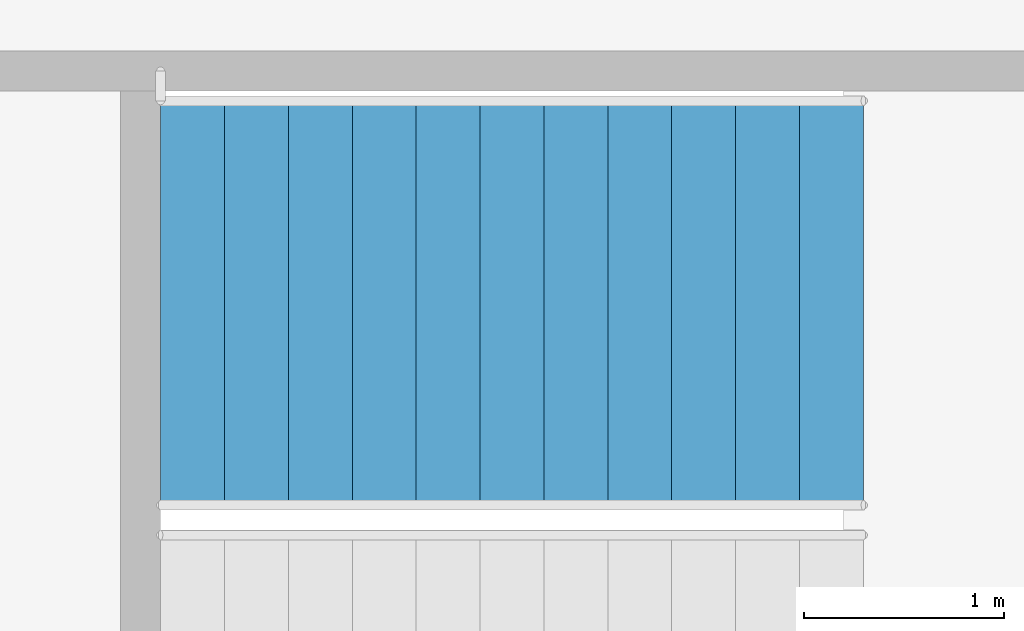
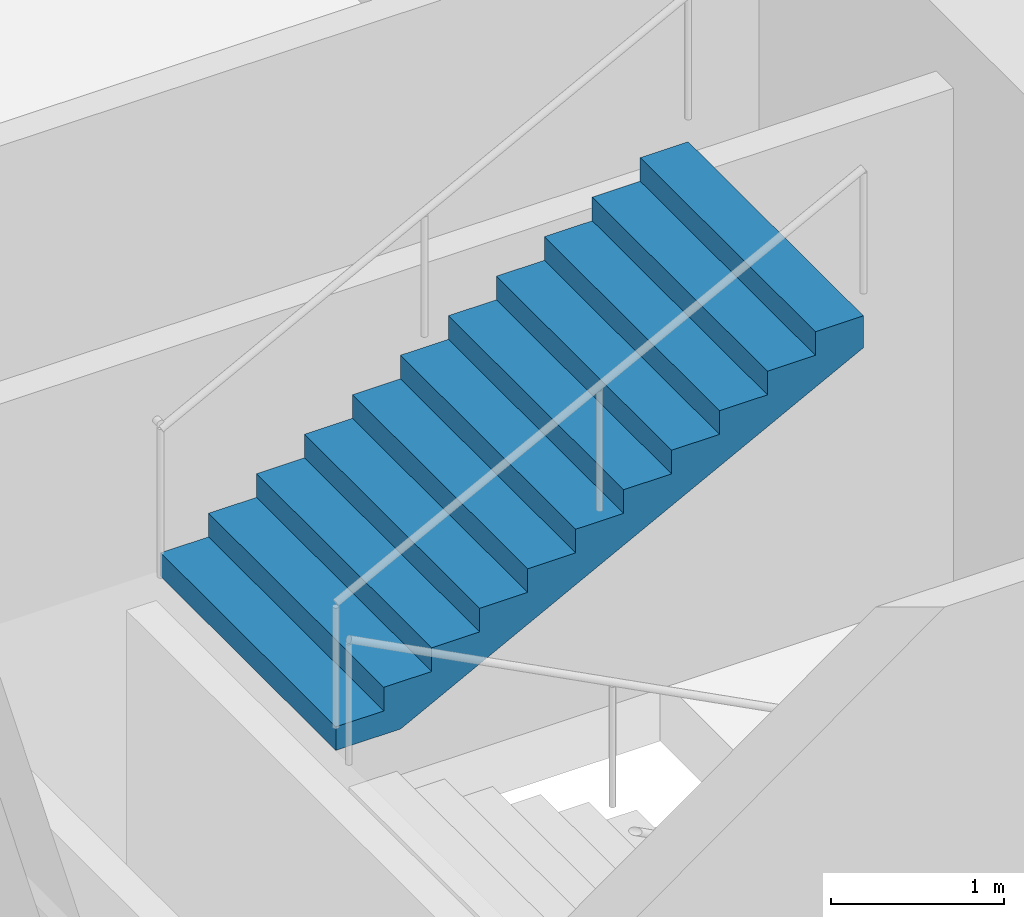
# One storey, part 16 of 31: 1 stair flight, 1 element without a shape of its own.
"""IFC4 building model written with IfcOpenShell, lengths in metres."""

from ifc_helpers import new_model, si_unit, direction, frame, origin, place, context, subcontext, project, spatial, polyline, outline, extrude, material, type_object, element, aggregate, save


model = new_model("IFC4")

# Units and contexts
model_context = context("Model", 3, precision=1e-05, world=origin(), true_north=direction((0.0, 1.0)))
body_context = subcontext(model_context, "Body", "Model", "MODEL_VIEW")
ifc_project = project(units=[si_unit("LENGTHUNIT", "METRE"), si_unit("AREAUNIT", "SQUARE_METRE"), si_unit("VOLUMEUNIT", "CUBIC_METRE"), si_unit("PLANEANGLEUNIT", "RADIAN"), si_unit("MASSUNIT", "GRAM", prefix="KILO")], contexts=[model_context])

# Site, building, storey
site_placement = place(None, origin())
site = spatial("IfcSite", under=ifc_project, at=site_placement, CompositionType="ELEMENT")
building_placement = place(site_placement, origin())
building = spatial("IfcBuilding", under=site, at=building_placement, Name="Altepetl Exchange Towers", CompositionType="ELEMENT")
storey_placement = place(building_placement, frame((0.0, 0.0, -4.0)))
storey = spatial("IfcBuildingStorey", under=building, at=storey_placement, Name="B1 Basement services", CompositionType="ELEMENT", Elevation=-4.0)

# Stair, stair flight
ifc_material = material(Name="Reinforced concrete C35/45", Category="concrete")
stair_type = type_object("IfcStairType", Name="Exit half-turn stair 2025", PredefinedType="HALF_TURN_STAIR", material=ifc_material)
stair_placement = place(storey_placement, origin())
stair = element("IfcStair", 1, at=stair_placement, inside=storey, type_object=stair_type, Name="ST-P8 stair", PredefinedType="HALF_TURN_STAIR")
stair_flight_type = type_object("IfcStairFlightType", Name="Stair flight 2025", PredefinedType="STRAIGHT", material=ifc_material)
stair_flight_placement = place(storey_placement, frame((146.8798828125, 68.58740234375, 2.0)))
stair_flight = element("IfcStairFlight", 2, at=stair_flight_placement, type_object=stair_flight_type, Name="ST-P8 flight 2", NumberOfRisers=12, NumberOfTreads=11, PredefinedType="STRAIGHT", RiserHeight=0.166667, TreadLength=0.32, context=body_context, shape_type="SweptSolid", body=[
    extrude(outline(polyline([(0.0, 0.0), (0.0, 0.166748046875), (0.320068359375, 0.166748046875), (0.320068359375, 0.333251953125), (0.639892578125, 0.333251953125), (0.639892578125, 0.5), (0.9599609375, 0.5), (0.9599609375, 0.666748046875), (1.280029296875, 0.666748046875), (1.280029296875, 0.833251953125), (1.60009765625, 0.833251953125), (1.60009765625, 1.0), (1.919921875, 1.0), (1.919921875, 1.166748046875), (2.239990234375, 1.166748046875), (2.239990234375, 1.333251953125), (2.56005859375, 1.333251953125), (2.56005859375, 1.5), (2.8798828125, 1.5), (2.8798828125, 1.666748046875), (3.199951171875, 1.666748046875), (3.199951171875, 1.833251953125), (3.52001953125, 1.833251953125), (3.52001953125, 2.0), (3.52001953125, 1.60791015625), (0.432861328125, 0.0), (0.0, 0.0)])), frame((0.0, 1.012451171875, 0.0), z_axis=(0.0, -1.0, 0.0), x_axis=(1.0, 0.0, 0.0)), (0.0, 0.0, 1.0), 2.02490234375),
])
aggregate(stair, [stair_flight])

save(model, "model.ifc")
